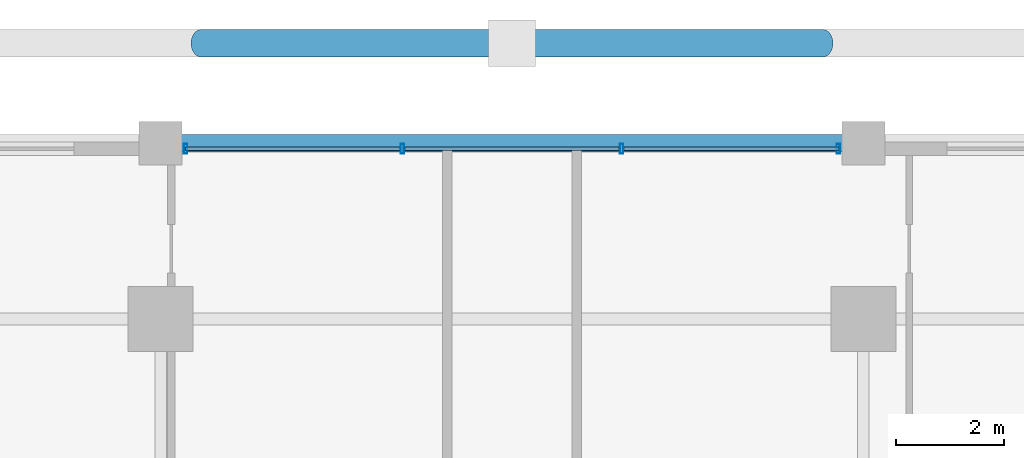
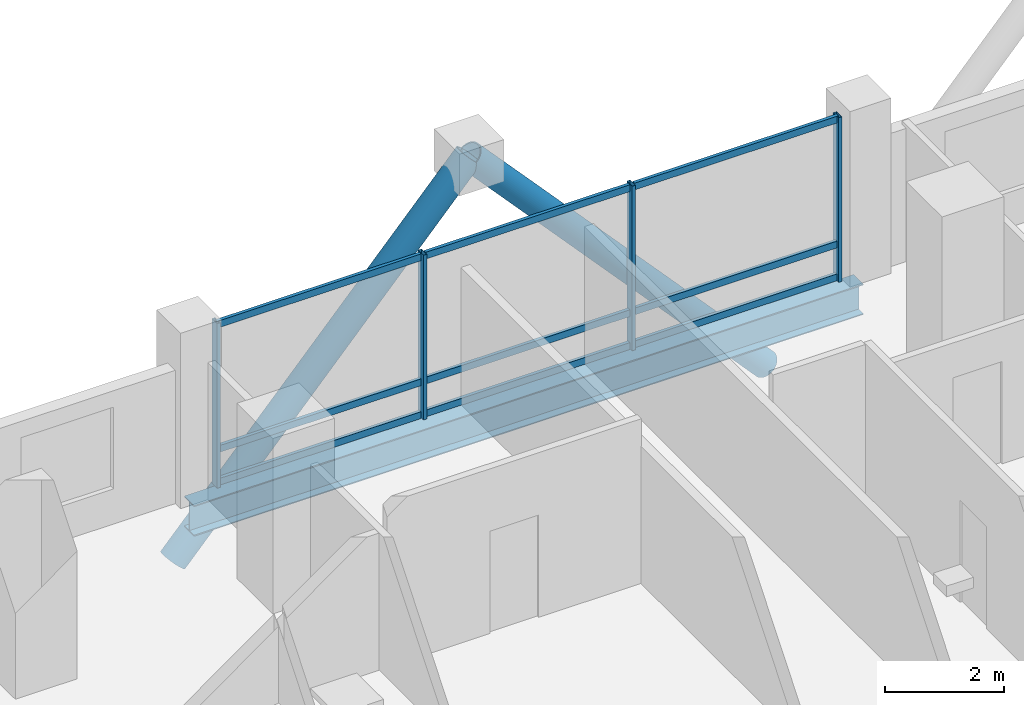
# One storey, part 13 of 22: 15 members, 1 beam, 1 element without a shape of its own.
"""IFC4 building model written with IfcOpenShell, lengths in metres."""

import ifcopenshell
import ifcopenshell.guid

model = None  # the IFC model being written
_history = None  # IfcOwnerHistory: only IFC2X3 demands one
_inside = {}  # id of a spatial element -> (the spatial element, [elements in it])
_under = {}  # id of a project, library or spatial element -> (it, [spatial elements below it])
_declared = {}  # id of a project -> (the project, [libraries it declares])
_typed = {}  # id of a type object -> (the type object, [elements of that type])
_made_of = {}  # id of a material, layer set ... -> (it, [elements and type objects made of it])


def new_model(schema):
    """Start an empty IFC model of exactly this schema.

    Asked for "IFC4X3", IfcOpenShell would pick the latest addendum, in which some entities
    have other attributes; the version numbers below select the first issue.
    IFC2X3 requires an IfcOwnerHistory on every rooted entity: one is made here for all.
    """
    global model, _history
    if schema == "IFC4X3":
        model = ifcopenshell.file(schema_version=(4, 3, 0, 0))
    else:
        model = ifcopenshell.file(schema=schema)
    _inside.clear()
    _under.clear()
    _declared.clear()
    _typed.clear()
    _made_of.clear()
    _history = None
    if model.schema == "IFC2X3":
        org = make("IfcOrganization", Name="unknown")
        user = make(
            "IfcPersonAndOrganization",
            ThePerson=make("IfcPerson", FamilyName="unknown"),
            TheOrganization=org,
        )
        app = make(
            "IfcApplication",
            ApplicationDeveloper=org,
            Version="unknown",
            ApplicationFullName="unknown",
            ApplicationIdentifier="unknown",
        )
        _history = make(
            "IfcOwnerHistory",
            OwningUser=user,
            OwningApplication=app,
            ChangeAction="ADDED",
            CreationDate=0,
        )
    return model


def make(cls, **values):
    """One entity of the class cls with the attributes given. An attribute that is None is left unset."""
    return model.create_entity(
        cls, **{name: value for name, value in values.items() if value is not None}
    )


def rooted(cls, **values):
    """An entity with a GlobalId (a new one), such as an element, a storey or a relation."""
    return make(cls, GlobalId=ifcopenshell.guid.new(), OwnerHistory=_history, **values)


def si_unit(unit_type, name, prefix=None):
    """IfcSIUnit, for example si_unit("LENGTHUNIT", "METRE", prefix="MILLI")."""
    return make("IfcSIUnit", UnitType=unit_type, Prefix=prefix, Name=name)


def assignment(units):
    """IfcUnitAssignment: the units of a project."""
    return None if units is None else make("IfcUnitAssignment", Units=units)


def point(xyz):
    """IfcCartesianPoint."""
    return None if xyz is None else make("IfcCartesianPoint", Coordinates=xyz)


def direction(xyz):
    """IfcDirection."""
    return None if xyz is None else make("IfcDirection", DirectionRatios=xyz)


def frame(location, z_axis=None, x_axis=None):
    """IfcAxis2Placement3D, a coordinate frame: its origin and axes. An axis left out is left unset."""
    return make(
        "IfcAxis2Placement3D",
        Location=point(location),
        Axis=direction(z_axis),
        RefDirection=direction(x_axis),
    )


def frame_2d(location, x_axis=None):
    """IfcAxis2Placement2D, a coordinate frame in the plane: its origin and x axis."""
    return make(
        "IfcAxis2Placement2D", Location=point(location), RefDirection=direction(x_axis)
    )


def origin():
    """The frame at (0, 0, 0) with its axes left unset."""
    return frame((0.0, 0.0, 0.0))


def origin_2d():
    """The frame at (0, 0) in the plane with its x axis left unset."""
    return frame_2d((0.0, 0.0))


def place(relative_to, where):
    """IfcLocalPlacement: puts the frame where relative to a parent placement (None: the world)."""
    return make(
        "IfcLocalPlacement", PlacementRelTo=relative_to, RelativePlacement=where
    )


def context(
    kind, dimensions, precision=None, world=None, true_north=None, identifier=None
):
    """IfcGeometricRepresentationContext, for example the 3D "Model" context."""
    return make(
        "IfcGeometricRepresentationContext",
        ContextIdentifier=identifier,
        ContextType=kind,
        CoordinateSpaceDimension=dimensions,
        Precision=precision,
        WorldCoordinateSystem=world,
        TrueNorth=true_north,
    )


def subcontext(parent, identifier, kind, view, scale=None):
    """IfcGeometricRepresentationSubContext, for example "Body" below "Model"."""
    return make(
        "IfcGeometricRepresentationSubContext",
        ContextIdentifier=identifier,
        ContextType=kind,
        ParentContext=parent,
        TargetScale=scale,
        TargetView=view,
    )


def project(units=None, contexts=None):
    """IfcProject with its units and contexts."""
    return rooted(
        "IfcProject",
        Name="project",
        RepresentationContexts=contexts,
        UnitsInContext=assignment(units),
    )


def spatial(cls, under=None, at=None, **own):
    """A site, building, storey or space (cls), placed at a placement, below another one or the project."""
    s = rooted(cls, ObjectPlacement=at, **own)
    if under is not None:
        _under.setdefault(under.id(), (under, []))[1].append(s)
    return s


def profile(cls, at=None, kind="AREA", **sizes):
    """A parametric profile (cls). Its sizes go by their IFC names, for example OverallWidth=200.0."""
    return make(cls, ProfileType=kind, Position=at, **sizes)


def hollow_rectangle(**sizes):
    """IfcRectangleHollowProfileDef."""
    return profile("IfcRectangleHollowProfileDef", **sizes)


def hollow_circle(**sizes):
    """IfcCircleHollowProfileDef."""
    return profile("IfcCircleHollowProfileDef", **sizes)


def i_section(**sizes):
    """IfcIShapeProfileDef."""
    return profile("IfcIShapeProfileDef", **sizes)


def extrude(swept, where, along, depth):
    """IfcExtrudedAreaSolid: the profile swept, set in the frame where, extruded along a direction by depth."""
    return make(
        "IfcExtrudedAreaSolid",
        SweptArea=swept,
        Position=where,
        ExtrudedDirection=direction(along),
        Depth=depth,
    )


def shape(context_of_items, identifier, shape_type, items):
    """IfcShapeRepresentation: the items that make up one representation, for example the "Body"."""
    return make(
        "IfcShapeRepresentation",
        ContextOfItems=context_of_items,
        RepresentationIdentifier=identifier,
        RepresentationType=shape_type,
        Items=items,
    )


def material(Name=None, Category=None):
    """IfcMaterial."""
    return make("IfcMaterial", Name=Name, Category=Category)


def layer(
    of_material, thickness, ventilated=None, Name=None, Category=None, Priority=None
):
    """IfcMaterialLayer: one layer of a wall or slab, of a material (None: an air gap)."""
    return make(
        "IfcMaterialLayer",
        Material=of_material,
        LayerThickness=thickness,
        IsVentilated=ventilated,
        Name=Name,
        Category=Category,
        Priority=Priority,
    )


def layer_set(layers, Name=None):
    """IfcMaterialLayerSet."""
    return make("IfcMaterialLayerSet", MaterialLayers=layers, LayerSetName=Name)


def material_profile(
    of_material, cross_section, Name=None, Category=None, Priority=None
):
    """IfcMaterialProfile: a cross section and its material."""
    return make(
        "IfcMaterialProfile",
        Name=Name,
        Material=of_material,
        Profile=cross_section,
        Priority=Priority,
        Category=Category,
    )


def profile_set(profiles, Name=None, composite=None):
    """IfcMaterialProfileSet."""
    return make(
        "IfcMaterialProfileSet",
        Name=Name,
        MaterialProfiles=profiles,
        CompositeProfile=composite,
    )


def made_of(thing, what):
    """Note that an element or type object is made of a material, layer set ...; save() writes the relation."""
    if what is not None:
        _made_of.setdefault(what.id(), (what, []))[1].append(thing)
    return thing


def type_object(cls, material=None, **own):
    """A type object (cls), such as IfcWallType, which elements share."""
    return made_of(rooted(cls, **own), material)


def element(
    cls,
    number,
    at=None,
    inside=None,
    cuts=None,
    type_object=None,
    material=None,
    context=None,
    identifier="Body",
    shape_type=None,
    held_by="IfcProductDefinitionShape",
    body=None,
    shapes=None,
    **own,
):
    """One element of the class cls, such as IfcWall. Its Tag is "e" and its number.

    at: its placement. inside: the storey or other place that contains it. cuts: it is an
    opening in that element (IfcRelVoidsElement). A single representation is given by context,
    identifier, shape_type and body (its items); several are given by shapes. held_by: the class
    of the entity that holds the representations. save() writes the other relations.
    """
    e = rooted(cls, Tag="e%d" % number, ObjectPlacement=at, **own)
    if body is not None:
        shapes = [shape(context, identifier, shape_type, body)]
    if shapes is not None:
        e.Representation = make(held_by, Representations=shapes)
    if inside is not None:
        _inside.setdefault(inside.id(), (inside, []))[1].append(e)
    if cuts is not None:
        rooted(
            "IfcRelVoidsElement", RelatingBuildingElement=cuts, RelatedOpeningElement=e
        )
    if type_object is not None:
        _typed.setdefault(type_object.id(), (type_object, []))[1].append(e)
    return made_of(e, material)


def aggregate(whole, parts):
    """IfcRelAggregates: a whole, such as a stair, and the parts it consists of."""
    return rooted("IfcRelAggregates", RelatingObject=whole, RelatedObjects=parts)


def save(model, path):
    """Write the relations noted so far, then the file.

    IfcRelAggregates (storeys below a building ...), IfcRelContainedInSpatialStructure (elements
    in a storey), IfcRelDefinesByType, IfcRelAssociatesMaterial and IfcRelDeclares: one each for
    every whole, place, type object, material and project.
    """
    for whole, parts in _under.values():
        aggregate(whole, parts)
    for where, things in _inside.values():
        rooted(
            "IfcRelContainedInSpatialStructure",
            RelatedElements=things,
            RelatingStructure=where,
        )
    for kind, things in _typed.values():
        rooted("IfcRelDefinesByType", RelatedObjects=things, RelatingType=kind)
    for what, things in _made_of.values():
        rooted("IfcRelAssociatesMaterial", RelatedObjects=things, RelatingMaterial=what)
    for by, libraries in _declared.values():
        rooted("IfcRelDeclares", RelatingContext=by, RelatedDefinitions=libraries)
    model.write(path)


model = new_model("IFC4")

# Units and contexts
model_context = context("Model", 3, precision=1e-05, world=origin(), true_north=direction((0.0, 1.0)))
body_context = subcontext(model_context, "Body", "Model", "MODEL_VIEW")
ifc_project = project(units=[si_unit("LENGTHUNIT", "METRE"), si_unit("AREAUNIT", "SQUARE_METRE"), si_unit("VOLUMEUNIT", "CUBIC_METRE"), si_unit("PLANEANGLEUNIT", "RADIAN"), si_unit("MASSUNIT", "GRAM", prefix="KILO")], contexts=[model_context])

# Site, building, storey
site_placement = place(None, origin())
site = spatial("IfcSite", under=ifc_project, at=site_placement, CompositionType="ELEMENT")
building_placement = place(site_placement, origin())
building = spatial("IfcBuilding", under=site, at=building_placement, Name="Barlavira Tower and Art Museum", CompositionType="ELEMENT")
storey_placement = place(building_placement, frame((0.0, 0.0, 129.60009765625)))
storey = spatial("IfcBuildingStorey", under=building, at=storey_placement, Name="L32", CompositionType="ELEMENT", Elevation=129.60009765625)

# Curtain wall, members
ifc_material_1 = material(Name="Low-iron coastal laminated glass", Category="glass")
ifc_layer = layer(ifc_material_1, 0.18994140625, Name="Low-iron coastal laminated glass")
ifc_layer_set = layer_set([ifc_layer], Name="Low-iron coastal laminated glass")
curtain_wall_type = type_object("IfcCurtainWallType", Name="Pale-Metal Unitised Curtain Wall Zone 2", PredefinedType="NOTDEFINED", material=ifc_layer_set)
curtain_wall_placement = place(storey_placement, origin())
curtain_wall = element("IfcCurtainWall", 1, at=curtain_wall_placement, inside=storey, type_object=curtain_wall_type, Name="L32 Curtain Wall CW2-L32-N-B3", PredefinedType="NOTDEFINED")
ifc_material_2 = material(Name="Pale anodised aluminium", Category="aluminium")
ifc_material_profile_1 = material_profile(ifc_material_2, hollow_rectangle(XDim=0.06494140625, YDim=0.179931640625, WallThickness=0.00390625, at=origin_2d()), Name="ALU-MULL 65x180x4")
ifc_profile_set_1 = profile_set([ifc_material_profile_1], Name="Pale anodised aluminium")
member_type_1 = type_object("IfcMemberType", Name="Curtain Wall Pale-Metal Mullion 65x180", PredefinedType="MULLION", material=ifc_profile_set_1)
member_1_placement = place(storey_placement, frame((6.034912109375, 23.14990234375, 0.0), z_axis=(0.0, 0.0, 1.0), x_axis=(-1.0, 0.0, 0.0)))
member_1 = element("IfcMember", 2, at=member_1_placement, type_object=member_type_1, Name="CW2-L32-N-B3 Mullion 0", PredefinedType="MULLION", context=body_context, shape_type="SweptSolid", body=[
    extrude(hollow_rectangle(XDim=0.06494140625, YDim=0.179931640625, WallThickness=0.00390625, at=origin_2d()), origin(), (0.0, 0.0, 1.0), 3.3798828125),
])
member_2_placement = place(storey_placement, frame((2.026611328125, 23.14990234375, 0.0), z_axis=(0.0, 0.0, 1.0), x_axis=(-1.0, 0.0, 0.0)))
member_2 = element("IfcMember", 3, at=member_2_placement, type_object=member_type_1, Name="CW2-L32-N-B3 Mullion 1", PredefinedType="MULLION", context=body_context, shape_type="SweptSolid", body=[
    extrude(hollow_rectangle(XDim=0.06494140625, YDim=0.179931640625, WallThickness=0.00390625, at=origin_2d()), origin(), (0.0, 0.0, 1.0), 3.3798828125),
])
member_3_placement = place(storey_placement, frame((-2.026611328125, 23.14990234375, 0.0), z_axis=(0.0, 0.0, 1.0), x_axis=(-1.0, 0.0, 0.0)))
member_3 = element("IfcMember", 4, at=member_3_placement, type_object=member_type_1, Name="CW2-L32-N-B3 Mullion 2", PredefinedType="MULLION", context=body_context, shape_type="SweptSolid", body=[
    extrude(hollow_rectangle(XDim=0.06494140625, YDim=0.179931640625, WallThickness=0.00390625, at=origin_2d()), origin(), (0.0, 0.0, 1.0), 3.3798828125),
])
member_4_placement = place(storey_placement, frame((-6.034912109375, 23.14990234375, 0.0), z_axis=(0.0, 0.0, 1.0), x_axis=(-1.0, 0.0, 0.0)))
member_4 = element("IfcMember", 5, at=member_4_placement, type_object=member_type_1, Name="CW2-L32-N-B3 Mullion 3", PredefinedType="MULLION", context=body_context, shape_type="SweptSolid", body=[
    extrude(hollow_rectangle(XDim=0.06494140625, YDim=0.179931640625, WallThickness=0.00390625, at=origin_2d()), origin(), (0.0, 0.0, 1.0), 3.3798828125),
])
ifc_material_profile_2 = material_profile(ifc_material_2, hollow_rectangle(XDim=0.06494140625, YDim=0.139892578125, WallThickness=0.00390625, at=origin_2d()), Name="ALU-TRAN 65x140x4")
ifc_profile_set_2 = profile_set([ifc_material_profile_2], Name="Pale anodised aluminium")
member_type_2 = type_object("IfcMemberType", Name="Curtain Wall Pale-Metal Transom 65x140", PredefinedType="USERDEFINED", material=ifc_profile_set_2)
member_5_placement = place(storey_placement, frame((6.034912109375, 23.14990234375, 0.06982421875), z_axis=(-1.0, 0.0, 0.0), x_axis=(0.0, -1.0, 0.0)))
member_5 = element("IfcMember", 6, at=member_5_placement, type_object=member_type_2, Name="CW2-L32-N-B3 Transom 0.1", ObjectType="TRANSOM", PredefinedType="USERDEFINED", context=body_context, shape_type="SweptSolid", body=[
    extrude(hollow_rectangle(XDim=0.06494140625, YDim=0.139892578125, WallThickness=0.00390625, at=origin_2d()), origin(), (0.0, 0.0, 1.0), 3.963134765625),
])
member_6_placement = place(storey_placement, frame((6.034912109375, 23.14990234375, 0.743896484375), z_axis=(-1.0, 0.0, 0.0), x_axis=(0.0, -1.0, 0.0)))
member_6 = element("IfcMember", 7, at=member_6_placement, type_object=member_type_2, Name="CW2-L32-N-B3 Transom 0.2", ObjectType="TRANSOM", PredefinedType="USERDEFINED", context=body_context, shape_type="SweptSolid", body=[
    extrude(hollow_rectangle(XDim=0.06494140625, YDim=0.139892578125, WallThickness=0.00390625, at=origin_2d()), origin(), (0.0, 0.0, 1.0), 3.963134765625),
])
member_7_placement = place(storey_placement, frame((6.034912109375, 23.14990234375, 3.309814453125), z_axis=(-1.0, 0.0, 0.0), x_axis=(0.0, -1.0, 0.0)))
member_7 = element("IfcMember", 8, at=member_7_placement, type_object=member_type_2, Name="CW2-L32-N-B3 Transom 0.3", ObjectType="TRANSOM", PredefinedType="USERDEFINED", context=body_context, shape_type="SweptSolid", body=[
    extrude(hollow_rectangle(XDim=0.06494140625, YDim=0.139892578125, WallThickness=0.00390625, at=origin_2d()), origin(), (0.0, 0.0, 1.0), 3.963134765625),
])
member_8_placement = place(storey_placement, frame((1.981689453125, 23.14990234375, 0.06982421875), z_axis=(-1.0, 0.0, 0.0), x_axis=(0.0, -1.0, 0.0)))
member_8 = element("IfcMember", 9, at=member_8_placement, type_object=member_type_2, Name="CW2-L32-N-B3 Transom 1.1", ObjectType="TRANSOM", PredefinedType="USERDEFINED", context=body_context, shape_type="SweptSolid", body=[
    extrude(hollow_rectangle(XDim=0.06494140625, YDim=0.139892578125, WallThickness=0.00390625, at=origin_2d()), origin(), (0.0, 0.0, 1.0), 3.96337890625),
])
member_9_placement = place(storey_placement, frame((1.981689453125, 23.14990234375, 0.743896484375), z_axis=(-1.0, 0.0, 0.0), x_axis=(0.0, -1.0, 0.0)))
member_9 = element("IfcMember", 10, at=member_9_placement, type_object=member_type_2, Name="CW2-L32-N-B3 Transom 1.2", ObjectType="TRANSOM", PredefinedType="USERDEFINED", context=body_context, shape_type="SweptSolid", body=[
    extrude(hollow_rectangle(XDim=0.06494140625, YDim=0.139892578125, WallThickness=0.00390625, at=origin_2d()), origin(), (0.0, 0.0, 1.0), 3.96337890625),
])
member_10_placement = place(storey_placement, frame((1.981689453125, 23.14990234375, 3.309814453125), z_axis=(-1.0, 0.0, 0.0), x_axis=(0.0, -1.0, 0.0)))
member_10 = element("IfcMember", 11, at=member_10_placement, type_object=member_type_2, Name="CW2-L32-N-B3 Transom 1.3", ObjectType="TRANSOM", PredefinedType="USERDEFINED", context=body_context, shape_type="SweptSolid", body=[
    extrude(hollow_rectangle(XDim=0.06494140625, YDim=0.139892578125, WallThickness=0.00390625, at=origin_2d()), origin(), (0.0, 0.0, 1.0), 3.96337890625),
])
member_11_placement = place(storey_placement, frame((-2.07177734375, 23.14990234375, 0.06982421875), z_axis=(-1.0, 0.0, 0.0), x_axis=(0.0, -1.0, 0.0)))
member_11 = element("IfcMember", 12, at=member_11_placement, type_object=member_type_2, Name="CW2-L32-N-B3 Transom 2.1", ObjectType="TRANSOM", PredefinedType="USERDEFINED", context=body_context, shape_type="SweptSolid", body=[
    extrude(hollow_rectangle(XDim=0.06494140625, YDim=0.139892578125, WallThickness=0.00390625, at=origin_2d()), origin(), (0.0, 0.0, 1.0), 3.963134765625),
])
member_12_placement = place(storey_placement, frame((-2.07177734375, 23.14990234375, 0.743896484375), z_axis=(-1.0, 0.0, 0.0), x_axis=(0.0, -1.0, 0.0)))
member_12 = element("IfcMember", 13, at=member_12_placement, type_object=member_type_2, Name="CW2-L32-N-B3 Transom 2.2", ObjectType="TRANSOM", PredefinedType="USERDEFINED", context=body_context, shape_type="SweptSolid", body=[
    extrude(hollow_rectangle(XDim=0.06494140625, YDim=0.139892578125, WallThickness=0.00390625, at=origin_2d()), origin(), (0.0, 0.0, 1.0), 3.963134765625),
])
member_13_placement = place(storey_placement, frame((-2.07177734375, 23.14990234375, 3.309814453125), z_axis=(-1.0, 0.0, 0.0), x_axis=(0.0, -1.0, 0.0)))
member_13 = element("IfcMember", 14, at=member_13_placement, type_object=member_type_2, Name="CW2-L32-N-B3 Transom 2.3", ObjectType="TRANSOM", PredefinedType="USERDEFINED", context=body_context, shape_type="SweptSolid", body=[
    extrude(hollow_rectangle(XDim=0.06494140625, YDim=0.139892578125, WallThickness=0.00390625, at=origin_2d()), origin(), (0.0, 0.0, 1.0), 3.963134765625),
])
aggregate(curtain_wall, [member_1, member_2, member_3, member_4, member_5, member_6, member_7, member_8, member_9, member_10, member_11, member_12, member_13])

# Members
ifc_material_3 = material(Name="Steel S355", Category="steel")
ifc_material_profile_3 = material_profile(ifc_material_3, hollow_circle(Radius=0.25390625, WallThickness=0.022216796875, at=origin_2d()), Name="CHS 508.0x22.2")
ifc_profile_set_3 = profile_set([ifc_material_profile_3], Name="Steel S355")
member_type_3 = type_object("IfcMemberType", Name="Pale-Metal Exoskeleton Diagrid Tube CHS 508x22 Steel S355", PredefinedType="BRACE", material=ifc_profile_set_3)
for number, where, z_axis, x_axis, name in (
    (15, (-5.75, 25.10009765625, -2.820068359375), (0.67412750573, 0.0, 0.738614991736), (0.0, 1.0, 0.0), "L32 Exoskeleton Diagrid Tube N"),
    (16, (5.75, 25.10009765625, -2.820068359375), (-0.67412750573, 0.0, 0.738614991736), (0.0, -1.0, 0.0), "L32 Exoskeleton Diagrid Tube N"),
):
    element("IfcMember", number, at=place(storey_placement, frame(where, z_axis=z_axis, x_axis=x_axis)), inside=storey, type_object=member_type_3, Name=name, PredefinedType="BRACE", context=body_context, shape_type="SweptSolid", body=[
        extrude(hollow_circle(Radius=0.25390625, WallThickness=0.022216796875, at=origin_2d()), origin(), (0.0, 0.0, 1.0), 8.529541015625),
    ])

# Beam
ifc_material_profile_4 = material_profile(ifc_material_3, i_section(OverallWidth=0.327880859375, OverallDepth=0.62890625, WebThickness=0.013916015625, FlangeThickness=0.021484375, at=origin_2d()), Name="W610x174.0")
ifc_profile_set_4 = profile_set([ifc_material_profile_4], Name="Steel S355")
beam_type = type_object("IfcBeamType", Name="Perimeter Spandrel Edge Beam W610x174 Steel S355", PredefinedType="SPANDREL", material=ifc_profile_set_4)
beam_placement = place(storey_placement, frame((-6.5, 23.25, -0.53466796875), z_axis=(1.0, 0.0, 0.0), x_axis=(0.0, 1.0, 0.0)))
element("IfcBeam", 17, at=beam_placement, inside=storey, type_object=beam_type, Name="L32 Spandrel 10", PredefinedType="SPANDREL", context=body_context, shape_type="SweptSolid", body=[
    extrude(i_section(OverallWidth=0.327880859375, OverallDepth=0.62890625, WebThickness=0.013916015625, FlangeThickness=0.021484375, at=origin_2d()), origin(), (0.0, 0.0, 1.0), 13.0),
])

save(model, "model.ifc")
